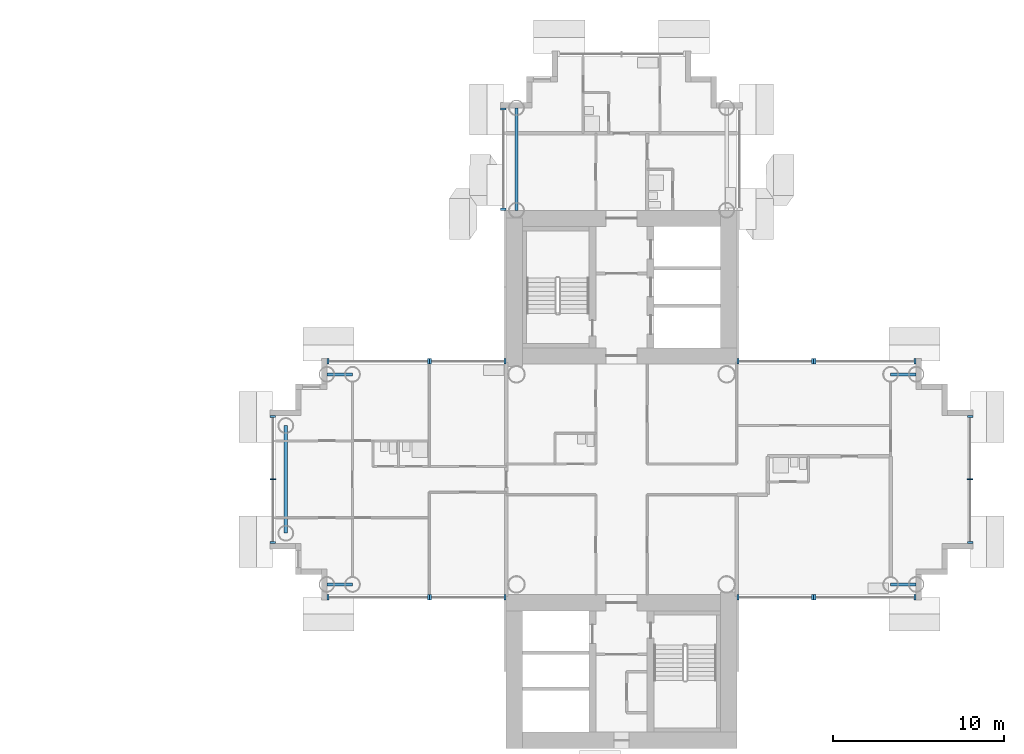
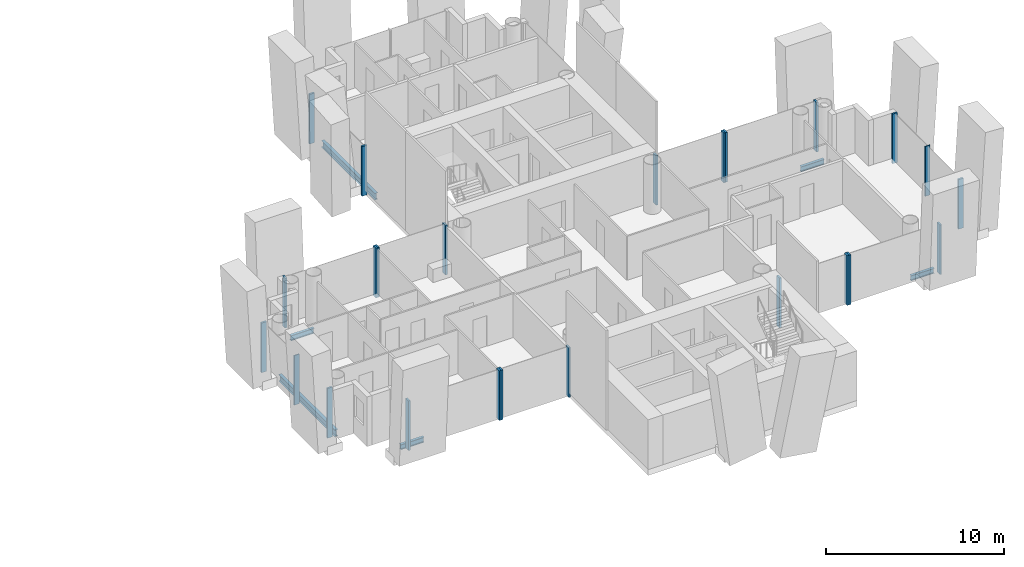
# One storey, part 5 of 21: 24 members, 6 beams, 11 elements without a shape of their own.
"""IFC4 building model written with IfcOpenShell, lengths in metres."""

from ifc_helpers import new_model, si_unit, direction, frame, origin, origin_2d, place, context, subcontext, project, spatial, rectangle, i_section, extrude, material, layer, layer_set, material_profile, profile_set, type_object, element, aggregate, save


model = new_model("IFC4")

# Units and contexts
model_context = context("Model", 3, precision=1e-05, world=origin(), true_north=direction((0.0, 1.0)))
body_context = subcontext(model_context, "Body", "Model", "MODEL_VIEW")
ifc_project = project(units=[si_unit("LENGTHUNIT", "METRE"), si_unit("AREAUNIT", "SQUARE_METRE"), si_unit("VOLUMEUNIT", "CUBIC_METRE"), si_unit("PLANEANGLEUNIT", "RADIAN"), si_unit("MASSUNIT", "GRAM", prefix="KILO")], contexts=[model_context])

# Site, building, storey
site_placement = place(None, origin())
site = spatial("IfcSite", under=ifc_project, at=site_placement, CompositionType="ELEMENT")
building_placement = place(site_placement, origin())
building = spatial("IfcBuilding", under=site, at=building_placement, Name="Ipe Terrace Towers", CompositionType="ELEMENT")
storey_placement = place(building_placement, frame((0.0, 0.0, 107.199951171875)))
storey = spatial("IfcBuildingStorey", under=building, at=storey_placement, Name="L29", CompositionType="ELEMENT", Elevation=107.199951171875)

# Beams
ifc_material_1 = material(Name="Steel S355", Category="steel")
ifc_material_profile_1 = material_profile(ifc_material_1, i_section(OverallWidth=0.175048828125, OverallDepth=0.35009765625, WebThickness=0.007080078125, FlangeThickness=0.010986328125, at=origin_2d()), Name="H-350x175x7x11")
ifc_profile_set_1 = profile_set([ifc_material_profile_1], Name="Steel S355")
beam_type_1 = type_object("IfcBeamType", Name="H04 EDGE BEAM H-350x175x7x11", PredefinedType="BEAM", material=ifc_profile_set_1)
for number, where, z_axis, x_axis, name in (
    (1, (20.25, 6.14990234375, -0.574951171875), (-1.0, 0.0, 0.0), (0.0, -1.0, 0.0), "Edge beam T2-EB-B03-B05"),
    (2, (20.25, -6.14990234375, -0.574951171875), (-1.0, 0.0, 0.0), (0.0, -1.0, 0.0), "Edge beam T2-EB-B04-B06"),
    (3, (51.75, -6.14990234375, -0.574951171875), (1.0, 0.0, 0.0), (0.0, 1.0, 0.0), "Edge beam T2-EB-D03-D05"),
    (4, (51.75, 6.14990234375, -0.574951171875), (1.0, 0.0, 0.0), (0.0, 1.0, 0.0), "Edge beam T2-EB-D04-D06"),
):
    element("IfcBeam", number, at=place(storey_placement, frame(where, z_axis=z_axis, x_axis=x_axis)), inside=storey, type_object=beam_type_1, Name=name, PredefinedType="BEAM", context=body_context, shape_type="SweptSolid", body=[
        extrude(i_section(OverallWidth=0.175048828125, OverallDepth=0.35009765625, WebThickness=0.007080078125, FlangeThickness=0.010986328125, at=origin_2d()), origin(), (0.0, 0.0, 1.0), 1.5),
    ])
ifc_material_2 = material(Name="Steel S355", Category="steel")
ifc_material_profile_2 = material_profile(ifc_material_2, i_section(OverallWidth=0.199951171875, OverallDepth=0.449951171875, WebThickness=0.009033203125, FlangeThickness=0.013916015625, at=origin_2d()), Name="H-450x200x9x14")
ifc_profile_set_2 = profile_set([ifc_material_profile_2], Name="Steel S355")
beam_type_2 = type_object("IfcBeamType", Name="H08 EDGE BEAM H-450x200x9x14", PredefinedType="BEAM", material=ifc_profile_set_2)
beam_1_placement = place(storey_placement, frame((29.85009765625, 15.75, -0.625), z_axis=(0.0, 1.0, 0.0), x_axis=(-1.0, 0.0, 0.0)))
element("IfcBeam", 5, at=beam_1_placement, inside=storey, type_object=beam_type_2, Name="Edge beam T2-EB-A02-A04", PredefinedType="BEAM", context=body_context, shape_type="SweptSolid", body=[
    extrude(i_section(OverallWidth=0.199951171875, OverallDepth=0.449951171875, WebThickness=0.009033203125, FlangeThickness=0.013916015625, at=origin_2d()), origin(), (0.0, 0.0, 1.0), 6.0),
])
beam_2_placement = place(storey_placement, frame((16.35009765625, 3.14990234375, -0.625), z_axis=(0.0, -1.0, 0.0), x_axis=(1.0, 0.0, 0.0)))
element("IfcBeam", 6, at=beam_2_placement, inside=storey, type_object=beam_type_2, Name="Edge beam T2-EB-B07-B08", PredefinedType="BEAM", context=body_context, shape_type="SweptSolid", body=[
    extrude(i_section(OverallWidth=0.199951171875, OverallDepth=0.449951171875, WebThickness=0.009033203125, FlangeThickness=0.013916015625, at=origin_2d()), origin(), (0.0, 0.0, 1.0), 6.2998046875),
])

# Curtain wall, members
ifc_material_3 = material(Name="Aluminium alloy 6063-T6", Category="aluminium")
ifc_layer = layer(ifc_material_3, 0.320068359375)
ifc_layer_set = layer_set([ifc_layer], Name="TOWER UNITISED CURTAIN WALL")
curtain_wall_type = type_object("IfcCurtainWallType", Name="TOWER UNITISED CURTAIN WALL", PredefinedType="NOTDEFINED", material=ifc_layer_set)
curtain_wall_1_placement = place(storey_placement, origin())
curtain_wall_1 = element("IfcCurtainWall", 7, at=curtain_wall_1_placement, inside=storey, type_object=curtain_wall_type, Name="T2-CW-L29-02a curtain wall", PredefinedType="NOTDEFINED")
ifc_material_4 = material(Name="Aluminium alloy 6063-T6", Category="aluminium")
ifc_material_profile_3 = material_profile(ifc_material_4, rectangle(XDim=0.320068359375, YDim=0.1201171875, at=origin_2d()), Name="TOWER UNITISED CORNER MULLION 320 x 120")
ifc_profile_set_3 = profile_set([ifc_material_profile_3], Name="Aluminium alloy 6063-T6")
member_type_1 = type_object("IfcMemberType", Name="TOWER UNITISED CORNER MULLION 320 x 120", PredefinedType="MULLION", material=ifc_profile_set_3)
member_1_placement = place(storey_placement, frame((42.81005859375, -6.909912109375, -0.300048828125), z_axis=(0.0, 0.0, 1.0), x_axis=(0.0, -1.0, 0.0)))
member_1 = element("IfcMember", 8, at=member_1_placement, type_object=member_type_1, Name="T2-CW-L29-02a mullion 1", PredefinedType="MULLION", context=body_context, shape_type="SweptSolid", body=[
    extrude(rectangle(XDim=0.320068359375, YDim=0.1201171875, at=origin_2d()), origin(), (0.0, 0.0, 1.0), 3.400146484375),
])
member_2_placement = place(storey_placement, frame((47.18994140625, -6.909912109375, -0.300048828125), z_axis=(0.0, 0.0, 1.0), x_axis=(0.0, -1.0, 0.0)))
member_2 = element("IfcMember", 9, at=member_2_placement, type_object=member_type_1, Name="T2-CW-L29-02a mullion 2", PredefinedType="MULLION", context=body_context, shape_type="SweptSolid", body=[
    extrude(rectangle(XDim=0.320068359375, YDim=0.1201171875, at=origin_2d()), origin(), (0.0, 0.0, 1.0), 3.400146484375),
])
aggregate(curtain_wall_1, [member_1, member_2])

curtain_wall_2_placement = place(storey_placement, origin())
curtain_wall_2 = element("IfcCurtainWall", 10, at=curtain_wall_2_placement, inside=storey, type_object=curtain_wall_type, Name="T2-CW-L29-03a curtain wall", PredefinedType="NOTDEFINED")
member_3_placement = place(storey_placement, frame((47.31005859375, -6.909912109375, -0.300048828125), z_axis=(0.0, 0.0, 1.0), x_axis=(0.0, -1.0, 0.0)))
member_3 = element("IfcMember", 11, at=member_3_placement, type_object=member_type_1, Name="T2-CW-L29-03a mullion 1", PredefinedType="MULLION", context=body_context, shape_type="SweptSolid", body=[
    extrude(rectangle(XDim=0.320068359375, YDim=0.1201171875, at=origin_2d()), origin(), (0.0, 0.0, 1.0), 3.400146484375),
])
member_4_placement = place(storey_placement, frame((53.18994140625, -6.909912109375, -0.300048828125), z_axis=(0.0, 0.0, 1.0), x_axis=(0.0, -1.0, 0.0)))
member_4 = element("IfcMember", 12, at=member_4_placement, type_object=member_type_1, Name="T2-CW-L29-03a mullion 2", PredefinedType="MULLION", context=body_context, shape_type="SweptSolid", body=[
    extrude(rectangle(XDim=0.320068359375, YDim=0.1201171875, at=origin_2d()), origin(), (0.0, 0.0, 1.0), 3.400146484375),
])
aggregate(curtain_wall_2, [member_3, member_4])

curtain_wall_3_placement = place(storey_placement, origin())
curtain_wall_3 = element("IfcCurtainWall", 13, at=curtain_wall_3_placement, inside=storey, type_object=curtain_wall_type, Name="T2-CW-L29-08a curtain wall", PredefinedType="NOTDEFINED")
member_5_placement = place(storey_placement, frame((56.409912109375, -3.68994140625, -0.300048828125), z_axis=(0.0, 0.0, 1.0), x_axis=(1.0, 0.0, 0.0)))
member_5 = element("IfcMember", 14, at=member_5_placement, type_object=member_type_1, Name="T2-CW-L29-08a mullion 1", PredefinedType="MULLION", context=body_context, shape_type="SweptSolid", body=[
    extrude(rectangle(XDim=0.320068359375, YDim=0.1201171875, at=origin_2d()), origin(), (0.0, 0.0, 1.0), 3.400146484375),
])
member_6_placement = place(storey_placement, frame((56.409912109375, 3.68994140625, -0.300048828125), z_axis=(0.0, 0.0, 1.0), x_axis=(1.0, 0.0, 0.0)))
member_6 = element("IfcMember", 15, at=member_6_placement, type_object=member_type_1, Name="T2-CW-L29-08a mullion 3", PredefinedType="MULLION", context=body_context, shape_type="SweptSolid", body=[
    extrude(rectangle(XDim=0.320068359375, YDim=0.1201171875, at=origin_2d()), origin(), (0.0, 0.0, 1.0), 3.400146484375),
])

curtain_wall_4_placement = place(storey_placement, origin())
curtain_wall_4 = element("IfcCurtainWall", 16, at=curtain_wall_4_placement, inside=storey, type_object=curtain_wall_type, Name="T2-CW-L29-13a curtain wall", PredefinedType="NOTDEFINED")
member_7_placement = place(storey_placement, frame((53.18994140625, 6.909912109375, -0.300048828125), z_axis=(0.0, 0.0, 1.0), x_axis=(0.0, 1.0, 0.0)))
member_7 = element("IfcMember", 17, at=member_7_placement, type_object=member_type_1, Name="T2-CW-L29-13a mullion 1", PredefinedType="MULLION", context=body_context, shape_type="SweptSolid", body=[
    extrude(rectangle(XDim=0.320068359375, YDim=0.1201171875, at=origin_2d()), origin(), (0.0, 0.0, 1.0), 3.400146484375),
])
member_8_placement = place(storey_placement, frame((47.31005859375, 6.909912109375, -0.300048828125), z_axis=(0.0, 0.0, 1.0), x_axis=(0.0, 1.0, 0.0)))
member_8 = element("IfcMember", 18, at=member_8_placement, type_object=member_type_1, Name="T2-CW-L29-13a mullion 2", PredefinedType="MULLION", context=body_context, shape_type="SweptSolid", body=[
    extrude(rectangle(XDim=0.320068359375, YDim=0.1201171875, at=origin_2d()), origin(), (0.0, 0.0, 1.0), 3.400146484375),
])
aggregate(curtain_wall_4, [member_7, member_8])

curtain_wall_5_placement = place(storey_placement, origin())
curtain_wall_5 = element("IfcCurtainWall", 19, at=curtain_wall_5_placement, inside=storey, type_object=curtain_wall_type, Name="T2-CW-L29-14a curtain wall", PredefinedType="NOTDEFINED")
member_9_placement = place(storey_placement, frame((47.18994140625, 6.909912109375, -0.300048828125), z_axis=(0.0, 0.0, 1.0), x_axis=(0.0, 1.0, 0.0)))
member_9 = element("IfcMember", 20, at=member_9_placement, type_object=member_type_1, Name="T2-CW-L29-14a mullion 1", PredefinedType="MULLION", context=body_context, shape_type="SweptSolid", body=[
    extrude(rectangle(XDim=0.320068359375, YDim=0.1201171875, at=origin_2d()), origin(), (0.0, 0.0, 1.0), 3.400146484375),
])
member_10_placement = place(storey_placement, frame((42.81005859375, 6.909912109375, -0.300048828125), z_axis=(0.0, 0.0, 1.0), x_axis=(0.0, 1.0, 0.0)))
member_10 = element("IfcMember", 21, at=member_10_placement, type_object=member_type_1, Name="T2-CW-L29-14a mullion 2", PredefinedType="MULLION", context=body_context, shape_type="SweptSolid", body=[
    extrude(rectangle(XDim=0.320068359375, YDim=0.1201171875, at=origin_2d()), origin(), (0.0, 0.0, 1.0), 3.400146484375),
])
aggregate(curtain_wall_5, [member_9, member_10])

curtain_wall_6_placement = place(storey_placement, origin())
curtain_wall_6 = element("IfcCurtainWall", 22, at=curtain_wall_6_placement, inside=storey, type_object=curtain_wall_type, Name="T2-CW-L29-26a curtain wall", PredefinedType="NOTDEFINED")
member_11_placement = place(storey_placement, frame((29.090087890625, 21.68994140625, -0.300048828125), z_axis=(0.0, 0.0, 1.0), x_axis=(-1.0, 0.0, 0.0)))
member_11 = element("IfcMember", 23, at=member_11_placement, type_object=member_type_1, Name="T2-CW-L29-26a mullion 1", PredefinedType="MULLION", context=body_context, shape_type="SweptSolid", body=[
    extrude(rectangle(XDim=0.320068359375, YDim=0.1201171875, at=origin_2d()), origin(), (0.0, 0.0, 1.0), 3.400146484375),
])
member_12_placement = place(storey_placement, frame((29.090087890625, 15.81103515625, -0.300048828125), z_axis=(0.0, 0.0, 1.0), x_axis=(-1.0, 0.0, 0.0)))
member_12 = element("IfcMember", 24, at=member_12_placement, type_object=member_type_1, Name="T2-CW-L29-26a mullion 2", PredefinedType="MULLION", context=body_context, shape_type="SweptSolid", body=[
    extrude(rectangle(XDim=0.320068359375, YDim=0.1201171875, at=origin_2d()), origin(), (0.0, 0.0, 1.0), 3.400146484375),
])
aggregate(curtain_wall_6, [member_11, member_12])

curtain_wall_7_placement = place(storey_placement, origin())
curtain_wall_7 = element("IfcCurtainWall", 25, at=curtain_wall_7_placement, inside=storey, type_object=curtain_wall_type, Name="T2-CW-L29-28a curtain wall", PredefinedType="NOTDEFINED")
member_13_placement = place(storey_placement, frame((29.18994140625, 6.909912109375, -0.300048828125), z_axis=(0.0, 0.0, 1.0), x_axis=(0.0, 1.0, 0.0)))
member_13 = element("IfcMember", 26, at=member_13_placement, type_object=member_type_1, Name="T2-CW-L29-28a mullion 1", PredefinedType="MULLION", context=body_context, shape_type="SweptSolid", body=[
    extrude(rectangle(XDim=0.320068359375, YDim=0.1201171875, at=origin_2d()), origin(), (0.0, 0.0, 1.0), 3.400146484375),
])
member_14_placement = place(storey_placement, frame((24.81005859375, 6.909912109375, -0.300048828125), z_axis=(0.0, 0.0, 1.0), x_axis=(0.0, 1.0, 0.0)))
member_14 = element("IfcMember", 27, at=member_14_placement, type_object=member_type_1, Name="T2-CW-L29-28a mullion 2", PredefinedType="MULLION", context=body_context, shape_type="SweptSolid", body=[
    extrude(rectangle(XDim=0.320068359375, YDim=0.1201171875, at=origin_2d()), origin(), (0.0, 0.0, 1.0), 3.400146484375),
])
aggregate(curtain_wall_7, [member_13, member_14])

curtain_wall_8_placement = place(storey_placement, origin())
curtain_wall_8 = element("IfcCurtainWall", 28, at=curtain_wall_8_placement, inside=storey, type_object=curtain_wall_type, Name="T2-CW-L29-29a curtain wall", PredefinedType="NOTDEFINED")
member_15_placement = place(storey_placement, frame((24.68994140625, 6.909912109375, -0.300048828125), z_axis=(0.0, 0.0, 1.0), x_axis=(0.0, 1.0, 0.0)))
member_15 = element("IfcMember", 29, at=member_15_placement, type_object=member_type_1, Name="T2-CW-L29-29a mullion 1", PredefinedType="MULLION", context=body_context, shape_type="SweptSolid", body=[
    extrude(rectangle(XDim=0.320068359375, YDim=0.1201171875, at=origin_2d()), origin(), (0.0, 0.0, 1.0), 3.400146484375),
])
member_16_placement = place(storey_placement, frame((18.81005859375, 6.909912109375, -0.300048828125), z_axis=(0.0, 0.0, 1.0), x_axis=(0.0, 1.0, 0.0)))
member_16 = element("IfcMember", 30, at=member_16_placement, type_object=member_type_1, Name="T2-CW-L29-29a mullion 2", PredefinedType="MULLION", context=body_context, shape_type="SweptSolid", body=[
    extrude(rectangle(XDim=0.320068359375, YDim=0.1201171875, at=origin_2d()), origin(), (0.0, 0.0, 1.0), 3.400146484375),
])
aggregate(curtain_wall_8, [member_15, member_16])

curtain_wall_9_placement = place(storey_placement, origin())
curtain_wall_9 = element("IfcCurtainWall", 31, at=curtain_wall_9_placement, inside=storey, type_object=curtain_wall_type, Name="T2-CW-L29-34a curtain wall", PredefinedType="NOTDEFINED")
member_17_placement = place(storey_placement, frame((15.590087890625, 3.68994140625, -0.300048828125), z_axis=(0.0, 0.0, 1.0), x_axis=(-1.0, 0.0, 0.0)))
member_17 = element("IfcMember", 32, at=member_17_placement, type_object=member_type_1, Name="T2-CW-L29-34a mullion 1", PredefinedType="MULLION", context=body_context, shape_type="SweptSolid", body=[
    extrude(rectangle(XDim=0.320068359375, YDim=0.1201171875, at=origin_2d()), origin(), (0.0, 0.0, 1.0), 3.400146484375),
])
member_18_placement = place(storey_placement, frame((15.590087890625, -3.68994140625, -0.300048828125), z_axis=(0.0, 0.0, 1.0), x_axis=(-1.0, 0.0, 0.0)))
member_18 = element("IfcMember", 33, at=member_18_placement, type_object=member_type_1, Name="T2-CW-L29-34a mullion 3", PredefinedType="MULLION", context=body_context, shape_type="SweptSolid", body=[
    extrude(rectangle(XDim=0.320068359375, YDim=0.1201171875, at=origin_2d()), origin(), (0.0, 0.0, 1.0), 3.400146484375),
])

curtain_wall_10_placement = place(storey_placement, origin())
curtain_wall_10 = element("IfcCurtainWall", 34, at=curtain_wall_10_placement, inside=storey, type_object=curtain_wall_type, Name="T2-CW-L29-39a curtain wall", PredefinedType="NOTDEFINED")
member_19_placement = place(storey_placement, frame((18.81005859375, -6.909912109375, -0.300048828125), z_axis=(0.0, 0.0, 1.0), x_axis=(0.0, -1.0, 0.0)))
member_19 = element("IfcMember", 35, at=member_19_placement, type_object=member_type_1, Name="T2-CW-L29-39a mullion 1", PredefinedType="MULLION", context=body_context, shape_type="SweptSolid", body=[
    extrude(rectangle(XDim=0.320068359375, YDim=0.1201171875, at=origin_2d()), origin(), (0.0, 0.0, 1.0), 3.400146484375),
])
member_20_placement = place(storey_placement, frame((24.68994140625, -6.909912109375, -0.300048828125), z_axis=(0.0, 0.0, 1.0), x_axis=(0.0, -1.0, 0.0)))
member_20 = element("IfcMember", 36, at=member_20_placement, type_object=member_type_1, Name="T2-CW-L29-39a mullion 2", PredefinedType="MULLION", context=body_context, shape_type="SweptSolid", body=[
    extrude(rectangle(XDim=0.320068359375, YDim=0.1201171875, at=origin_2d()), origin(), (0.0, 0.0, 1.0), 3.400146484375),
])
aggregate(curtain_wall_10, [member_19, member_20])

curtain_wall_11_placement = place(storey_placement, origin())
curtain_wall_11 = element("IfcCurtainWall", 37, at=curtain_wall_11_placement, inside=storey, type_object=curtain_wall_type, Name="T2-CW-L29-40a curtain wall", PredefinedType="NOTDEFINED")
member_21_placement = place(storey_placement, frame((24.81005859375, -6.909912109375, -0.300048828125), z_axis=(0.0, 0.0, 1.0), x_axis=(0.0, -1.0, 0.0)))
member_21 = element("IfcMember", 38, at=member_21_placement, type_object=member_type_1, Name="T2-CW-L29-40a mullion 1", PredefinedType="MULLION", context=body_context, shape_type="SweptSolid", body=[
    extrude(rectangle(XDim=0.320068359375, YDim=0.1201171875, at=origin_2d()), origin(), (0.0, 0.0, 1.0), 3.400146484375),
])
member_22_placement = place(storey_placement, frame((29.18994140625, -6.909912109375, -0.300048828125), z_axis=(0.0, 0.0, 1.0), x_axis=(0.0, -1.0, 0.0)))
member_22 = element("IfcMember", 39, at=member_22_placement, type_object=member_type_1, Name="T2-CW-L29-40a mullion 2", PredefinedType="MULLION", context=body_context, shape_type="SweptSolid", body=[
    extrude(rectangle(XDim=0.320068359375, YDim=0.1201171875, at=origin_2d()), origin(), (0.0, 0.0, 1.0), 3.400146484375),
])
aggregate(curtain_wall_11, [member_21, member_22])

# Member
ifc_material_5 = material(Name="Aluminium alloy 6063-T6", Category="aluminium")
ifc_material_profile_4 = material_profile(ifc_material_5, rectangle(XDim=0.320068359375, YDim=0.06494140625, at=origin_2d()), Name="TOWER UNITISED MULLION 320 x 65")
ifc_profile_set_4 = profile_set([ifc_material_profile_4], Name="Aluminium alloy 6063-T6")
member_type_2 = type_object("IfcMemberType", Name="TOWER UNITISED MULLION 320 x 65", PredefinedType="MULLION", material=ifc_profile_set_4)
member_23_placement = place(storey_placement, frame((56.409912109375, 0.0, -0.300048828125), z_axis=(0.0, 0.0, 1.0), x_axis=(1.0, 0.0, 0.0)))
member_23 = element("IfcMember", 40, at=member_23_placement, type_object=member_type_2, Name="T2-CW-L29-08a mullion 2", PredefinedType="MULLION", context=body_context, shape_type="SweptSolid", body=[
    extrude(rectangle(XDim=0.320068359375, YDim=0.06494140625, at=origin_2d()), origin(), (0.0, 0.0, 1.0), 3.400146484375),
])

aggregate(curtain_wall_3, [member_5, member_23, member_6])

member_24_placement = place(storey_placement, frame((15.590087890625, 0.0, -0.300048828125), z_axis=(0.0, 0.0, 1.0), x_axis=(-1.0, 0.0, 0.0)))
member_24 = element("IfcMember", 41, at=member_24_placement, type_object=member_type_2, Name="T2-CW-L29-34a mullion 2", PredefinedType="MULLION", context=body_context, shape_type="SweptSolid", body=[
    extrude(rectangle(XDim=0.320068359375, YDim=0.06494140625, at=origin_2d()), origin(), (0.0, 0.0, 1.0), 3.400146484375),
])

aggregate(curtain_wall_9, [member_17, member_24, member_18])

save(model, "model.ifc")
